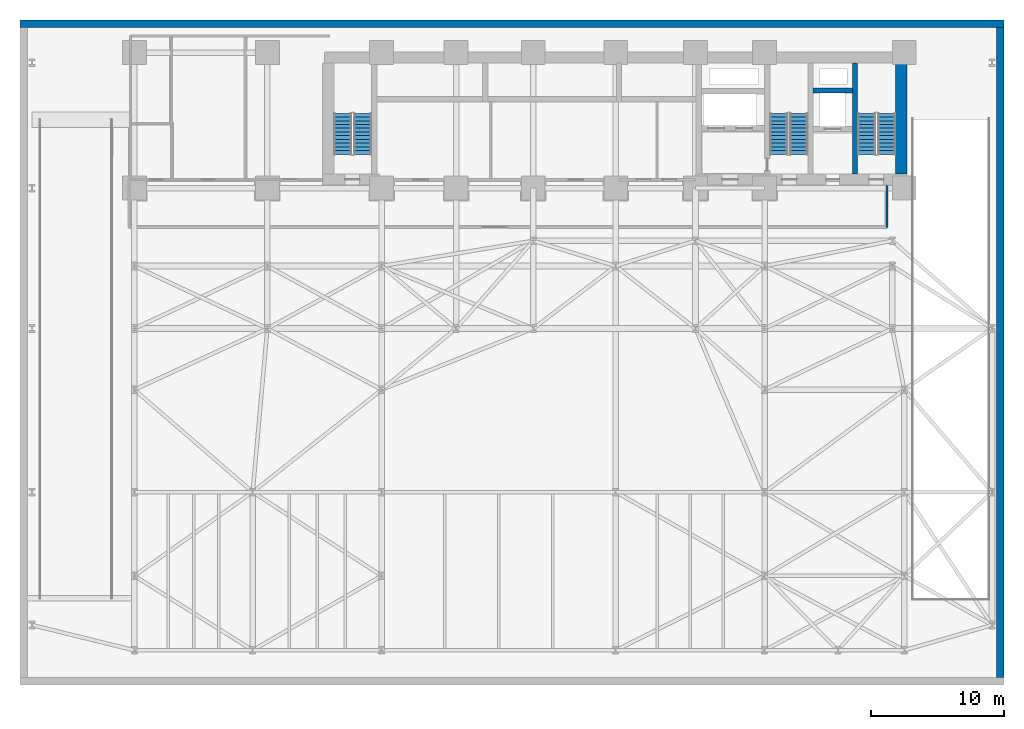
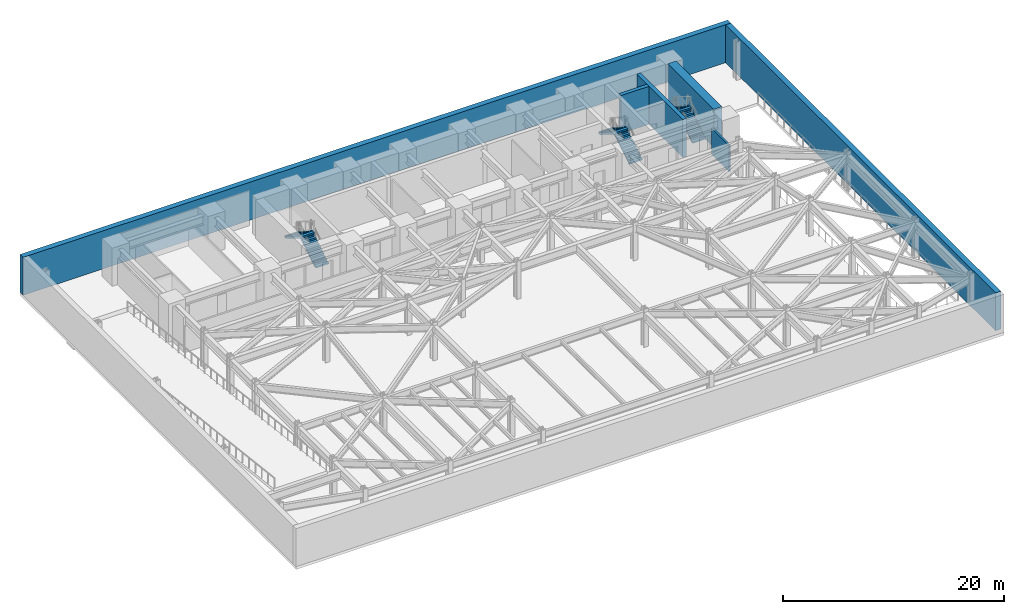
# One storey, part 5 of 11: 6 stair flights, 6 walls, 3 elements without a shape of their own.
"""IFC4 building model written with IfcOpenShell, lengths in metres."""

from ifc_helpers import new_model, si_unit, direction, frame, frame_2d, origin, place, context, subcontext, project, spatial, polyline, rectangle, outline, extrude, material, layer, layer_set, type_object, element, aggregate, save


model = new_model("IFC4")

# Units and contexts
model_context = context("Model", 3, precision=1e-05, world=origin(), true_north=direction((0.0, 1.0)))
body_context = subcontext(model_context, "Body", "Model", "MODEL_VIEW")
ifc_project = project(units=[si_unit("LENGTHUNIT", "METRE"), si_unit("AREAUNIT", "SQUARE_METRE"), si_unit("VOLUMEUNIT", "CUBIC_METRE"), si_unit("PLANEANGLEUNIT", "RADIAN"), si_unit("MASSUNIT", "GRAM", prefix="KILO")], contexts=[model_context])

# Site, building, storey
site_placement = place(None, origin())
site = spatial("IfcSite", under=ifc_project, at=site_placement, CompositionType="ELEMENT")
building_placement = place(site_placement, origin())
building = spatial("IfcBuilding", under=site, at=building_placement, Name="Kravanh Interchange Tower", CompositionType="ELEMENT")
storey_placement = place(building_placement, frame((0.0, 0.0, -4.199951171875)))
storey = spatial("IfcBuildingStorey", under=building, at=storey_placement, Name="B1", CompositionType="ELEMENT", Elevation=-4.199951171875)

# Walls
ifc_material_1 = material(Name="Concrete C60/75", Category="concrete")
ifc_layer_1 = layer(ifc_material_1, 0.550048828125)
ifc_layer_set_1 = layer_set([ifc_layer_1], Name="Basement Retaining Wall Concrete C60/75 550mm")
wall_type_1 = type_object("IfcWallType", Name="Basement Retaining Wall Concrete C60/75 550mm", PredefinedType="SOLIDWALL", material=ifc_layer_set_1)
wall_1_placement = place(storey_placement, frame((0.0, 49.72509765625, 0.0), z_axis=(0.0, 0.0, 1.0), x_axis=(1.0, 0.0, 0.0)))
element("IfcWall", 1, at=wall_1_placement, inside=storey, type_object=wall_type_1, Name="B1 Basement Retaining Wall N", PredefinedType="SOLIDWALL", context=body_context, shape_type="SweptSolid", body=[
    extrude(rectangle(XDim=74.0, YDim=0.550048828125, at=frame_2d((37.0, 0.0))), origin(), (0.0, 0.0, 1.0), 4.199951171875),
])
wall_2_placement = place(storey_placement, frame((73.72509765625, 0.570068359375, 0.0), z_axis=(0.0, 0.0, 1.0), x_axis=(0.0, 1.0, 0.0)))
element("IfcWall", 2, at=wall_2_placement, inside=storey, type_object=wall_type_1, Name="B1 Basement Retaining Wall E", PredefinedType="SOLIDWALL", context=body_context, shape_type="SweptSolid", body=[
    extrude(rectangle(XDim=48.85986328125, YDim=0.550048828125, at=frame_2d((24.429931640625, 0.0))), origin(), (0.0, 0.0, 1.0), 4.199951171875),
])
ifc_material_2 = material(Name="Concrete C80/95", Category="concrete")
ifc_layer_2 = layer(ifc_material_2, 0.39990234375)
ifc_layer_set_2 = layer_set([ifc_layer_2], Name="Core Shear Wall Concrete C80/95 400mm")
wall_type_2 = type_object("IfcWallType", Name="Core Shear Wall Concrete C80/95 400mm", PredefinedType="SHEAR", material=ifc_layer_set_2)
wall_3_placement = place(storey_placement, frame((62.800048828125, 38.425048828125, 0.0), z_axis=(0.0, 0.0, 1.0), x_axis=(0.0, 1.0, 0.0)))
element("IfcWall", 3, at=wall_3_placement, inside=storey, type_object=wall_type_2, Name="B1 Stair ST1 West Shear Wall", PredefinedType="SHEAR", context=body_context, shape_type="SweptSolid", body=[
    extrude(rectangle(XDim=8.324951171875, YDim=0.39990234375, at=frame_2d((4.16259765625, 0.0))), origin(), (0.0, 0.0, 1.0), 4.199951171875),
])
wall_4_placement = place(storey_placement, frame((59.64990234375, 44.699951171875, 0.0), z_axis=(0.0, 0.0, 1.0), x_axis=(1.0, 0.0, 0.0)))
element("IfcWall", 4, at=wall_4_placement, inside=storey, type_object=wall_type_2, Name="B1 Service Lift Shaft North Wall", PredefinedType="SHEAR", context=body_context, shape_type="SweptSolid", body=[
    extrude(rectangle(XDim=2.9501953125, YDim=0.39990234375, at=frame_2d((1.47509765625, 0.0))), origin(), (0.0, 0.0, 1.0), 4.199951171875),
])
ifc_material_3 = material(Name="Concrete C80/95", Category="concrete")
ifc_layer_3 = layer(ifc_material_3, 0.85009765625)
ifc_layer_set_3 = layer_set([ifc_layer_3], Name="Core Shear Wall Concrete C80/95 850mm")
wall_type_3 = type_object("IfcWallType", Name="Core Shear Wall Concrete C80/95 850mm", PredefinedType="SHEAR", material=ifc_layer_set_3)
wall_5_placement = place(storey_placement, frame((66.27490234375, 38.425048828125, 0.0), z_axis=(0.0, 0.0, 1.0), x_axis=(0.0, 1.0, 0.0)))
element("IfcWall", 5, at=wall_5_placement, inside=storey, type_object=wall_type_3, Name="B1 Stair ST1 East Shear Wall", PredefinedType="SHEAR", context=body_context, shape_type="SweptSolid", body=[
    extrude(rectangle(XDim=8.324951171875, YDim=0.85009765625, at=frame_2d((4.16259765625, 0.0))), origin(), (0.0, 0.0, 1.0), 4.199951171875),
])
ifc_material_4 = material(Name="Autoclaved Aerated Concrete C30/37 Blockwork", Category="masonry")
ifc_layer_4 = layer(ifc_material_4, 0.179931640625)
ifc_layer_set_4 = layer_set([ifc_layer_4], Name="Fire-Rated Lobby and Corridor Wall Concrete C30/37 180mm")
wall_type_4 = type_object("IfcWallType", Name="Fire-Rated Lobby and Corridor Wall Concrete C30/37 180mm", PredefinedType="STANDARD", material=ifc_layer_set_4)
wall_6_placement = place(storey_placement, frame((65.199951171875, 34.39990234375, 0.0), z_axis=(0.0, 0.0, 1.0), x_axis=(0.0, 1.0, 0.0)))
element("IfcWall", 6, at=wall_6_placement, inside=storey, type_object=wall_type_4, Name="B1 Interior Partition 7", PredefinedType="STANDARD", context=body_context, shape_type="SweptSolid", body=[
    extrude(rectangle(XDim=3.1669921875, YDim=0.179931640625, at=frame_2d((1.58349609375, 0.0))), origin(), (0.0, 0.0, 1.0), 2.90185546875),
])

# Stair, stair flights
ifc_material_5 = material(Name="Concrete C50/60", Category="concrete")
stair_type = type_object("IfcStairType", Name="Core Fire Exit Dogleg Stair Concrete C50/60", PredefinedType="HALF_TURN_STAIR", material=ifc_material_5)
stair_1_placement = place(storey_placement, origin())
stair_1 = element("IfcStair", 7, at=stair_1_placement, inside=storey, type_object=stair_type, Name="B1 Exit Stair ST1", PredefinedType="HALF_TURN_STAIR")
ifc_material_6 = material(Name="Precast Concrete C50/60", Category="concrete")
ifc_layer_5 = layer(ifc_material_6, 0.199951171875)
ifc_layer_set_5 = layer_set([ifc_layer_5], Name="Precast Concrete C50/60 Stair Flight 1350mm")
stair_flight_type = type_object("IfcStairFlightType", Name="Precast Concrete C50/60 Stair Flight 1350mm", PredefinedType="STRAIGHT", material=ifc_layer_set_5)
stair_flight_1_placement = place(storey_placement, frame((65.175048828125, 39.89990234375, 0.0), z_axis=(0.0, 0.0, 1.0), x_axis=(0.0, 1.0, 0.0)))
stair_flight_1 = element("IfcStairFlight", 8, at=stair_flight_1_placement, type_object=stair_flight_type, Name="ST1 flight 1", NumberOfRisers=12, NumberOfTreads=11, PredefinedType="STRAIGHT", RiserHeight=0.175, TreadLength=0.28, context=body_context, shape_type="SweptSolid", body=[
    extrude(outline(polyline([(0.0, 0.0), (0.0, 0.175048828125), (0.280029296875, 0.175048828125), (0.280029296875, 0.35009765625), (0.56005859375, 0.35009765625), (0.56005859375, 0.52490234375), (0.840087890625, 0.52490234375), (0.840087890625, 0.699951171875), (1.1201171875, 0.699951171875), (1.1201171875, 0.875), (1.39990234375, 0.875), (1.39990234375, 1.050048828125), (1.679931640625, 1.050048828125), (1.679931640625, 1.22509765625), (1.9599609375, 1.22509765625), (1.9599609375, 1.39990234375), (2.239990234375, 1.39990234375), (2.239990234375, 1.574951171875), (2.52001953125, 1.574951171875), (2.52001953125, 1.75), (2.800048828125, 1.75), (2.800048828125, 1.925048828125), (3.080078125, 1.925048828125), (3.080078125, 2.10009765625), (3.080078125, 1.748291015625), (0.28271484375, 0.0), (0.0, 0.0)])), frame((0.0, 0.675048828125, 0.0), z_axis=(0.0, -1.0, 0.0), x_axis=(1.0, 0.0, 0.0)), (0.0, 0.0, 1.0), 1.35009765625),
])
stair_flight_2_placement = place(storey_placement, frame((63.675048828125, 42.97998046875, 2.099853515625), z_axis=(0.0, 0.0, 1.0), x_axis=(0.0, -1.0, 0.0)))
stair_flight_2 = element("IfcStairFlight", 9, at=stair_flight_2_placement, type_object=stair_flight_type, Name="ST1 flight 2", NumberOfRisers=12, NumberOfTreads=11, PredefinedType="STRAIGHT", RiserHeight=0.175, TreadLength=0.28, context=body_context, shape_type="SweptSolid", body=[
    extrude(outline(polyline([(0.0, 0.0), (0.0, 0.175048828125), (0.280029296875, 0.175048828125), (0.280029296875, 0.35009765625), (0.56005859375, 0.35009765625), (0.56005859375, 0.52490234375), (0.840087890625, 0.52490234375), (0.840087890625, 0.699951171875), (1.1201171875, 0.699951171875), (1.1201171875, 0.875), (1.39990234375, 0.875), (1.39990234375, 1.050048828125), (1.679931640625, 1.050048828125), (1.679931640625, 1.22509765625), (1.9599609375, 1.22509765625), (1.9599609375, 1.39990234375), (2.239990234375, 1.39990234375), (2.239990234375, 1.574951171875), (2.52001953125, 1.574951171875), (2.52001953125, 1.75), (2.800048828125, 1.75), (2.800048828125, 1.925048828125), (3.080078125, 1.925048828125), (3.080078125, 2.10009765625), (3.080078125, 1.748291015625), (0.28271484375, 0.0), (0.0, 0.0)])), frame((0.0, 0.675048828125, 0.0), z_axis=(0.0, -1.0, 0.0), x_axis=(1.0, 0.0, 0.0)), (0.0, 0.0, 1.0), 1.35009765625),
])
aggregate(stair_1, [stair_flight_1, stair_flight_2])

stair_2_placement = place(storey_placement, origin())
stair_2 = element("IfcStair", 10, at=stair_2_placement, inside=storey, type_object=stair_type, Name="B1 Exit Stair ST2", PredefinedType="HALF_TURN_STAIR")
stair_flight_3_placement = place(storey_placement, frame((58.574951171875, 39.89990234375, 0.0), z_axis=(0.0, 0.0, 1.0), x_axis=(0.0, 1.0, 0.0)))
stair_flight_3 = element("IfcStairFlight", 11, at=stair_flight_3_placement, type_object=stair_flight_type, Name="ST2 flight 1", NumberOfRisers=12, NumberOfTreads=11, PredefinedType="STRAIGHT", RiserHeight=0.175, TreadLength=0.28, context=body_context, shape_type="SweptSolid", body=[
    extrude(outline(polyline([(0.0, 0.0), (0.0, 0.175048828125), (0.280029296875, 0.175048828125), (0.280029296875, 0.35009765625), (0.56005859375, 0.35009765625), (0.56005859375, 0.52490234375), (0.840087890625, 0.52490234375), (0.840087890625, 0.699951171875), (1.1201171875, 0.699951171875), (1.1201171875, 0.875), (1.39990234375, 0.875), (1.39990234375, 1.050048828125), (1.679931640625, 1.050048828125), (1.679931640625, 1.22509765625), (1.9599609375, 1.22509765625), (1.9599609375, 1.39990234375), (2.239990234375, 1.39990234375), (2.239990234375, 1.574951171875), (2.52001953125, 1.574951171875), (2.52001953125, 1.75), (2.800048828125, 1.75), (2.800048828125, 1.925048828125), (3.080078125, 1.925048828125), (3.080078125, 2.10009765625), (3.080078125, 1.748291015625), (0.28271484375, 0.0), (0.0, 0.0)])), frame((0.0, 0.675048828125, 0.0), z_axis=(0.0, -1.0, 0.0), x_axis=(1.0, 0.0, 0.0)), (0.0, 0.0, 1.0), 1.35009765625),
])
stair_flight_4_placement = place(storey_placement, frame((57.074951171875, 42.97998046875, 2.099853515625), z_axis=(0.0, 0.0, 1.0), x_axis=(0.0, -1.0, 0.0)))
stair_flight_4 = element("IfcStairFlight", 12, at=stair_flight_4_placement, type_object=stair_flight_type, Name="ST2 flight 2", NumberOfRisers=12, NumberOfTreads=11, PredefinedType="STRAIGHT", RiserHeight=0.175, TreadLength=0.28, context=body_context, shape_type="SweptSolid", body=[
    extrude(outline(polyline([(0.0, 0.0), (0.0, 0.175048828125), (0.280029296875, 0.175048828125), (0.280029296875, 0.35009765625), (0.56005859375, 0.35009765625), (0.56005859375, 0.52490234375), (0.840087890625, 0.52490234375), (0.840087890625, 0.699951171875), (1.1201171875, 0.699951171875), (1.1201171875, 0.875), (1.39990234375, 0.875), (1.39990234375, 1.050048828125), (1.679931640625, 1.050048828125), (1.679931640625, 1.22509765625), (1.9599609375, 1.22509765625), (1.9599609375, 1.39990234375), (2.239990234375, 1.39990234375), (2.239990234375, 1.574951171875), (2.52001953125, 1.574951171875), (2.52001953125, 1.75), (2.800048828125, 1.75), (2.800048828125, 1.925048828125), (3.080078125, 1.925048828125), (3.080078125, 2.10009765625), (3.080078125, 1.748291015625), (0.28271484375, 0.0), (0.0, 0.0)])), frame((0.0, 0.675048828125, 0.0), z_axis=(0.0, -1.0, 0.0), x_axis=(1.0, 0.0, 0.0)), (0.0, 0.0, 1.0), 1.35009765625),
])
aggregate(stair_2, [stair_flight_3, stair_flight_4])

stair_3_placement = place(storey_placement, origin())
stair_3 = element("IfcStair", 13, at=stair_3_placement, inside=storey, type_object=stair_type, Name="B1 Exit Stair ST3", PredefinedType="HALF_TURN_STAIR")
stair_flight_5_placement = place(storey_placement, frame((25.77490234375, 39.89990234375, 0.0), z_axis=(0.0, 0.0, 1.0), x_axis=(0.0, 1.0, 0.0)))
stair_flight_5 = element("IfcStairFlight", 14, at=stair_flight_5_placement, type_object=stair_flight_type, Name="ST3 flight 1", NumberOfRisers=12, NumberOfTreads=11, PredefinedType="STRAIGHT", RiserHeight=0.175, TreadLength=0.28, context=body_context, shape_type="SweptSolid", body=[
    extrude(outline(polyline([(0.0, 0.0), (0.0, 0.175048828125), (0.280029296875, 0.175048828125), (0.280029296875, 0.35009765625), (0.56005859375, 0.35009765625), (0.56005859375, 0.52490234375), (0.840087890625, 0.52490234375), (0.840087890625, 0.699951171875), (1.1201171875, 0.699951171875), (1.1201171875, 0.875), (1.39990234375, 0.875), (1.39990234375, 1.050048828125), (1.679931640625, 1.050048828125), (1.679931640625, 1.22509765625), (1.9599609375, 1.22509765625), (1.9599609375, 1.39990234375), (2.239990234375, 1.39990234375), (2.239990234375, 1.574951171875), (2.52001953125, 1.574951171875), (2.52001953125, 1.75), (2.800048828125, 1.75), (2.800048828125, 1.925048828125), (3.080078125, 1.925048828125), (3.080078125, 2.10009765625), (3.080078125, 1.748291015625), (0.28271484375, 0.0), (0.0, 0.0)])), frame((0.0, 0.675048828125, 0.0), z_axis=(0.0, -1.0, 0.0), x_axis=(1.0, 0.0, 0.0)), (0.0, 0.0, 1.0), 1.35009765625),
])
stair_flight_6_placement = place(storey_placement, frame((24.27490234375, 42.97998046875, 2.099853515625), z_axis=(0.0, 0.0, 1.0), x_axis=(0.0, -1.0, 0.0)))
stair_flight_6 = element("IfcStairFlight", 15, at=stair_flight_6_placement, type_object=stair_flight_type, Name="ST3 flight 2", NumberOfRisers=12, NumberOfTreads=11, PredefinedType="STRAIGHT", RiserHeight=0.175, TreadLength=0.28, context=body_context, shape_type="SweptSolid", body=[
    extrude(outline(polyline([(0.0, 0.0), (0.0, 0.175048828125), (0.280029296875, 0.175048828125), (0.280029296875, 0.35009765625), (0.56005859375, 0.35009765625), (0.56005859375, 0.52490234375), (0.840087890625, 0.52490234375), (0.840087890625, 0.699951171875), (1.1201171875, 0.699951171875), (1.1201171875, 0.875), (1.39990234375, 0.875), (1.39990234375, 1.050048828125), (1.679931640625, 1.050048828125), (1.679931640625, 1.22509765625), (1.9599609375, 1.22509765625), (1.9599609375, 1.39990234375), (2.239990234375, 1.39990234375), (2.239990234375, 1.574951171875), (2.52001953125, 1.574951171875), (2.52001953125, 1.75), (2.800048828125, 1.75), (2.800048828125, 1.925048828125), (3.080078125, 1.925048828125), (3.080078125, 2.10009765625), (3.080078125, 1.748291015625), (0.28271484375, 0.0), (0.0, 0.0)])), frame((0.0, 0.675048828125, 0.0), z_axis=(0.0, -1.0, 0.0), x_axis=(1.0, 0.0, 0.0)), (0.0, 0.0, 1.0), 1.35009765625),
])
aggregate(stair_3, [stair_flight_5, stair_flight_6])

save(model, "model.ifc")
